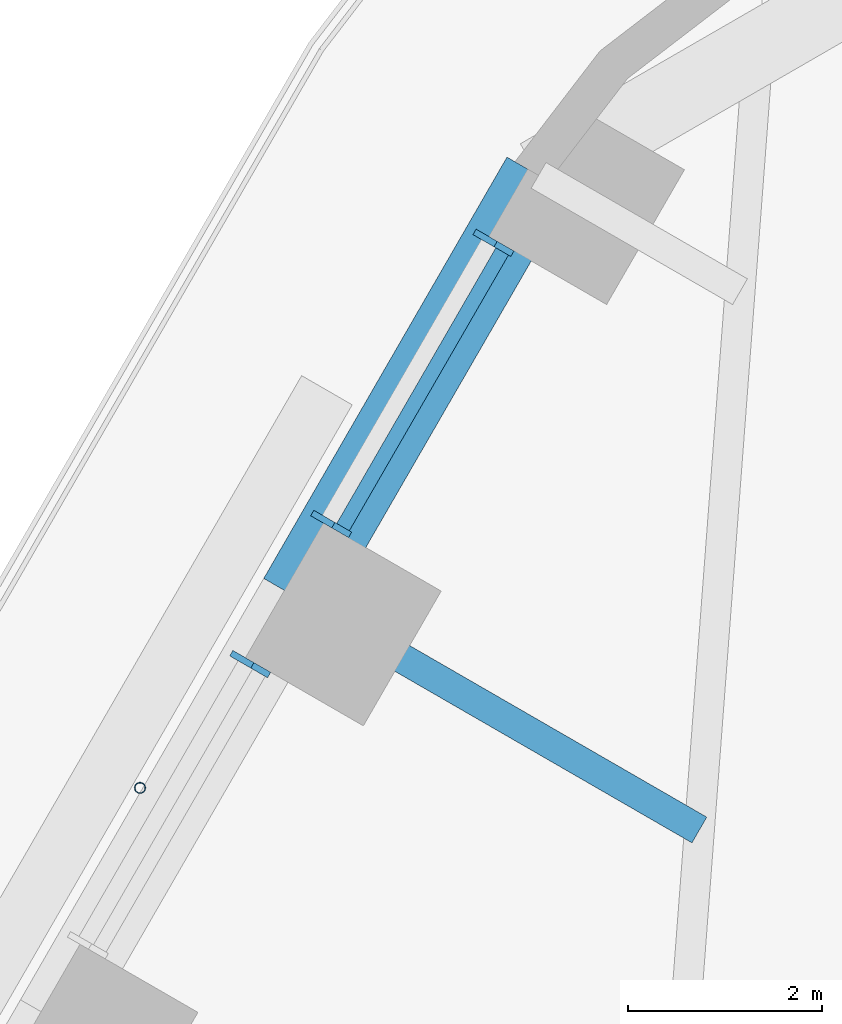
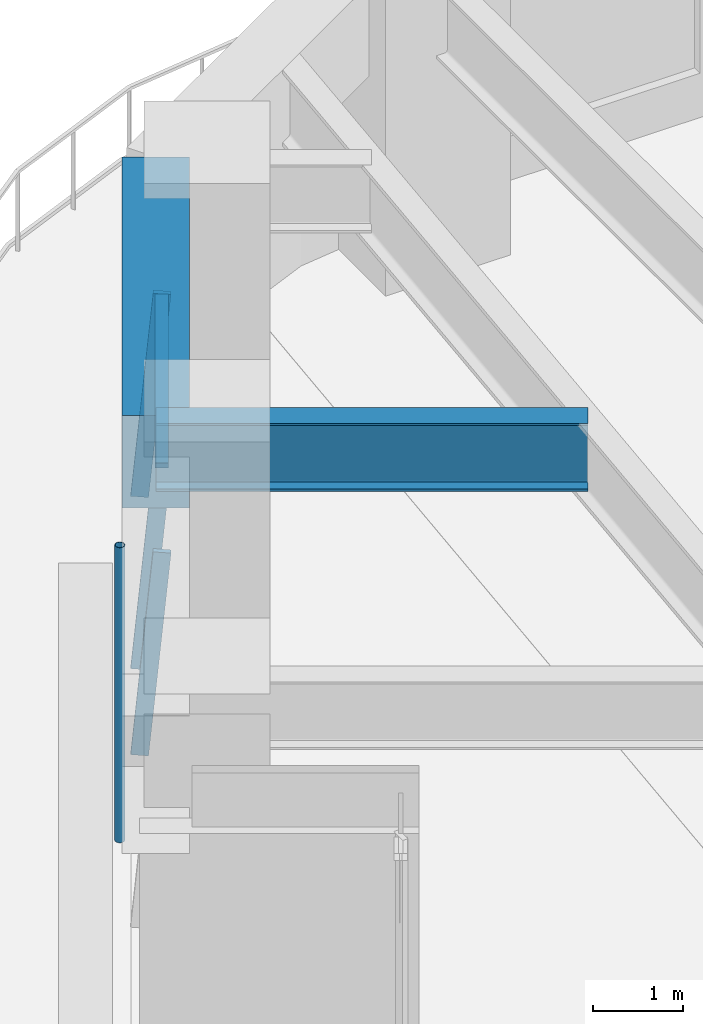
# One storey, part 9 of 24: 5 members, 2 beams, 2 elements without a shape of their own.
"""IFC4 building model written with IfcOpenShell, lengths in metres."""

from ifc_helpers import new_model, si_unit, direction, frame, origin, origin_2d, place, context, subcontext, project, spatial, rectangle, hollow_circle, i_section, extrude, material, material_profile, profile_set, type_object, element, aggregate, save


model = new_model("IFC4")

# Units and contexts
model_context = context("Model", 3, precision=1e-05, world=origin(), true_north=direction((0.0, 1.0)))
body_context = subcontext(model_context, "Body", "Model", "MODEL_VIEW")
ifc_project = project(units=[si_unit("LENGTHUNIT", "METRE"), si_unit("AREAUNIT", "SQUARE_METRE"), si_unit("VOLUMEUNIT", "CUBIC_METRE"), si_unit("PLANEANGLEUNIT", "RADIAN"), si_unit("MASSUNIT", "GRAM", prefix="KILO")], contexts=[model_context])

# Site, building, storey
site_placement = place(None, origin())
site = spatial("IfcSite", under=ifc_project, at=site_placement, CompositionType="ELEMENT")
building_placement = place(site_placement, origin())
building = spatial("IfcBuilding", under=site, at=building_placement, Name="Tarfa Lantern Tower", CompositionType="ELEMENT")
storey_placement = place(building_placement, frame((0.0, 0.0, 178.300048828125)))
storey = spatial("IfcBuildingStorey", under=building, at=storey_placement, Name="L40", CompositionType="ELEMENT", Elevation=178.300048828125)

# Curtain wall, members
ifc_material_1 = material(Name="Aluminium framed curtain wall", Category="aluminium")
curtain_wall_type = type_object("IfcCurtainWallType", Name="CW2 CANTED GLAZING MID ZONE 2750", PredefinedType="USERDEFINED", material=ifc_material_1)
curtain_wall_1_placement = place(storey_placement, origin())
curtain_wall_1 = element("IfcCurtainWall", 1, at=curtain_wall_1_placement, inside=storey, type_object=curtain_wall_type, Name="CW2 NW L40", ObjectType="CURTAIN WALL", PredefinedType="USERDEFINED")
ifc_material_2 = material(Name="Aluminium mullion", Category="aluminium")
ifc_material_profile_1 = material_profile(ifc_material_2, rectangle(XDim=0.06494140625, YDim=0.199951171875, at=origin_2d()), Name="AL MULLION 65x200")
ifc_profile_set_1 = profile_set([ifc_material_profile_1], Name="Aluminium mullion")
member_type_1 = type_object("IfcMemberType", Name="CWM1 MULLION 65x200", PredefinedType="MULLION", material=ifc_profile_set_1)
member_1_placement = place(storey_placement, frame((-20.10400390625, 27.97900390625, 0.0), z_axis=(0.078422950161, -0.045267813396, 0.995891894715), x_axis=(0.499919672301, 0.866071776036, 0.0)))
member_1 = element("IfcMember", 2, at=member_1_placement, type_object=member_type_1, Name="CW2 mullion 1", PredefinedType="MULLION", context=body_context, shape_type="SweptSolid", body=[
    extrude(rectangle(XDim=0.06494140625, YDim=0.199951171875, at=origin_2d()), origin(), (0.0, 0.0, 1.0), 2.76123046875),
])
member_2_placement = place(storey_placement, frame((-21.773193359375, 25.087646484375, 0.0), z_axis=(0.078422950161, -0.045267813396, 0.995891894715), x_axis=(0.499919672301, 0.866071776036, 0.0)))
member_2 = element("IfcMember", 3, at=member_2_placement, type_object=member_type_1, Name="CW2 mullion 2", PredefinedType="MULLION", context=body_context, shape_type="SweptSolid", body=[
    extrude(rectangle(XDim=0.06494140625, YDim=0.199951171875, at=origin_2d()), origin(), (0.0, 0.0, 1.0), 2.76123046875),
])

# Curtain wall, member
curtain_wall_2_placement = place(storey_placement, origin())
curtain_wall_2 = element("IfcCurtainWall", 4, at=curtain_wall_2_placement, inside=storey, type_object=curtain_wall_type, Name="CW2 NW L40", ObjectType="CURTAIN WALL", PredefinedType="USERDEFINED")
member_3_placement = place(storey_placement, frame((-22.605712890625, 23.645751953125, 0.0), z_axis=(0.078422950161, -0.045267813396, 0.995891894715), x_axis=(0.499919672301, 0.866071776036, 0.0)))
member_3 = element("IfcMember", 5, at=member_3_placement, type_object=member_type_1, Name="CW2 mullion 1", PredefinedType="MULLION", context=body_context, shape_type="SweptSolid", body=[
    extrude(rectangle(XDim=0.06494140625, YDim=0.199951171875, at=origin_2d()), origin(), (0.0, 0.0, 1.0), 2.76123046875),
])
aggregate(curtain_wall_2, [member_3])

# Member
ifc_material_3 = material(Name="Aluminium transom", Category="aluminium")
ifc_material_profile_2 = material_profile(ifc_material_3, rectangle(XDim=0.14990234375, YDim=0.06494140625, at=origin_2d()), Name="AL TRANSOM 150x65")
ifc_profile_set_2 = profile_set([ifc_material_profile_2], Name="Aluminium transom")
member_type_2 = type_object("IfcMemberType", Name="CWT1 TRANSOM 150x65", PredefinedType="USERDEFINED", material=ifc_profile_set_2)
member_4_placement = place(storey_placement, frame((-19.90625, 27.827392578125, 2.717529296875), z_axis=(-0.499957005835, -0.866050225054, 0.0), x_axis=(0.866050225054, -0.499957005835, 0.0)))
member_4 = element("IfcMember", 6, at=member_4_placement, type_object=member_type_2, Name="CW2 transom 1.2", ObjectType="TRANSOM", PredefinedType="USERDEFINED", context=body_context, shape_type="SweptSolid", body=[
    extrude(rectangle(XDim=0.14990234375, YDim=0.06494140625, at=origin_2d()), origin(), (0.0, 0.0, 1.0), 3.273681640625),
])

aggregate(curtain_wall_1, [member_1, member_2, member_4])

# Beam
ifc_material_4 = material(Name="Concrete C80/95", Category="concrete")
ifc_material_profile_3 = material_profile(ifc_material_4, rectangle(XDim=0.75, YDim=1.25, at=origin_2d()), Name="RC 750x1250")
ifc_profile_set_3 = profile_set([ifc_material_profile_3], Name="Concrete C80/95")
beam_type_1 = type_object("IfcBeamType", Name="EB2 RC 750x1250", PredefinedType="SPANDREL", material=ifc_profile_set_3)
beam_1_placement = place(storey_placement, frame((-19.53173828125, 28.610107421875, 3.375), z_axis=(-0.500001197378, -0.866024712477, 0.0), x_axis=(0.866024712477, -0.500001197378, 0.0)))
element("IfcBeam", 7, at=beam_1_placement, inside=storey, type_object=beam_type_1, Name="Edge beam NW0", PredefinedType="SPANDREL", context=body_context, shape_type="SweptSolid", body=[
    extrude(rectangle(XDim=0.75, YDim=1.25, at=origin_2d()), origin(), (0.0, 0.0, 1.0), 5.00390625),
])

# Member
ifc_material_5 = material(Name="Steel S355", Category="steel")
ifc_material_profile_4 = material_profile(ifc_material_5, hollow_circle(Radius=0.05712890625, WallThickness=0.00634765625, at=origin_2d()), Name="CHS114.3x6.3")
ifc_profile_set_4 = profile_set([ifc_material_profile_4], Name="Steel S355")
member_type_3 = type_object("IfcMemberType", Name="TR1 GREEN WALL TRELLIS CHS114.3x6.3", PredefinedType="USERDEFINED", material=ifc_profile_set_4)
member_5_placement = place(storey_placement, frame((-23.630859375, 22.31005859375, 0.0), z_axis=(0.0, 0.0, 1.0), x_axis=(1.0, 0.0, 0.0)))
element("IfcMember", 8, at=member_5_placement, inside=storey, type_object=member_type_3, Name="Trellis post NW 1", ObjectType="TRELLIS", PredefinedType="USERDEFINED", context=body_context, shape_type="SweptSolid", body=[
    extrude(hollow_circle(Radius=0.05712890625, WallThickness=0.00634765625, at=origin_2d()), origin(), (0.0, 0.0, 1.0), 4.0),
])

# Beam
ifc_material_6 = material(Name="Steel S460M", Category="steel")
ifc_material_profile_5 = material_profile(ifc_material_6, i_section(OverallWidth=0.305419921875, OverallDepth=0.91845703125, WebThickness=0.017333984375, FlangeThickness=0.02783203125, FilletRadius=0.01904296875, at=origin_2d()), Name="UB914x305x253")
ifc_profile_set_5 = profile_set([ifc_material_profile_5], Name="Steel S460M")
beam_type_2 = type_object("IfcBeamType", Name="UB914x305x253", PredefinedType="BEAM", material=ifc_profile_set_5)
beam_2_placement = place(storey_placement, frame((-22.03369140625, 24.276611328125, 3.540771484375), z_axis=(0.866030550462, -0.499991085587, 0.0), x_axis=(0.499991085587, 0.866030550462, 0.0)))
element("IfcBeam", 9, at=beam_2_placement, inside=storey, type_object=beam_type_2, Name="Floor beam NW1", PredefinedType="BEAM", context=body_context, shape_type="SweptSolid", body=[
    extrude(i_section(OverallWidth=0.305419921875, OverallDepth=0.91845703125, WebThickness=0.017333984375, FlangeThickness=0.02783203125, FilletRadius=0.01904296875, at=origin_2d()), origin(), (0.0, 0.0, 1.0), 4.798828125),
])

save(model, "model.ifc")
